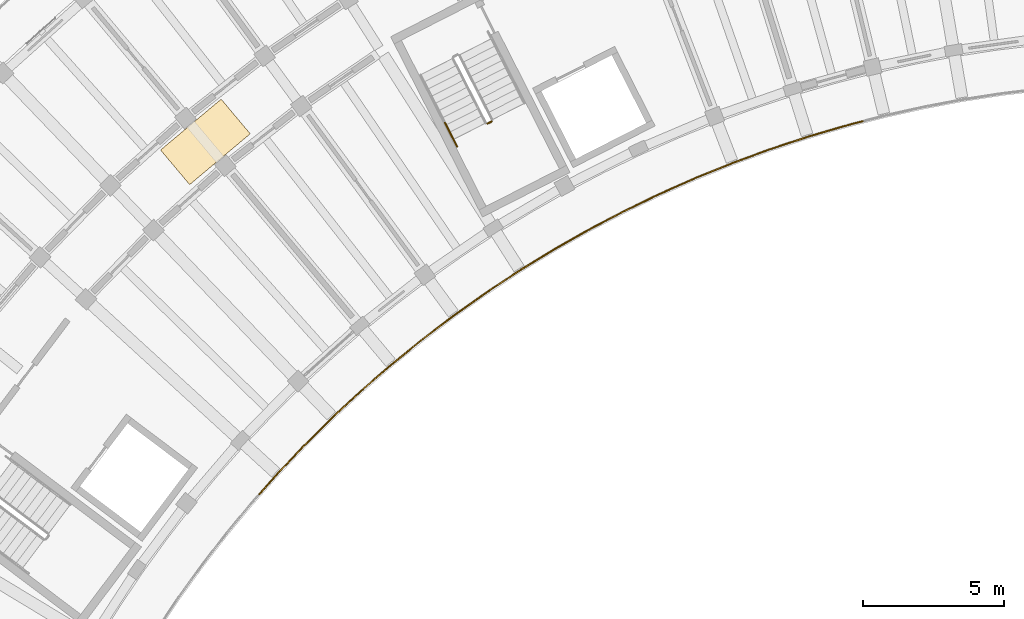
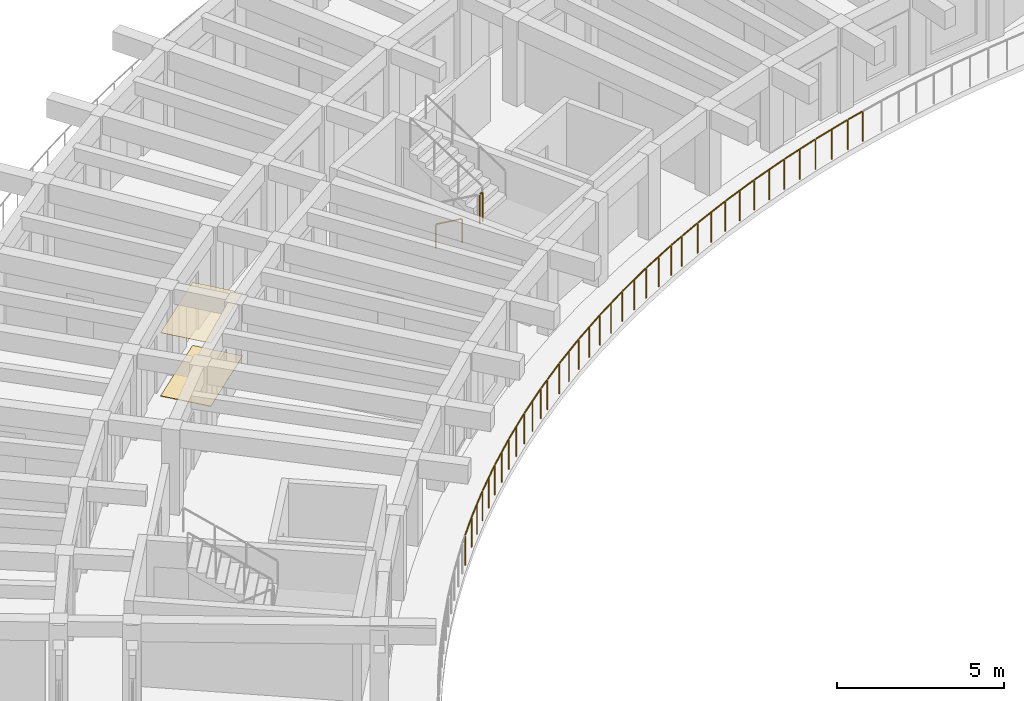
# One storey, part 71 of 81: 5 railings, 2 coverings.
"""IFC4 building model written with IfcOpenShell, lengths in metres."""

from ifc_helpers import new_model, si_unit, direction, frame, origin, origin_2d, place, context, subcontext, project, spatial, rectangle, circle, extrude, material, layer, layer_set, type_object, element, save


model = new_model("IFC4")

# Units and contexts
model_context = context("Model", 3, precision=1e-05, world=origin(), true_north=direction((0.0, 1.0)))
body_context = subcontext(model_context, "Body", "Model", "MODEL_VIEW")
ifc_project = project(units=[si_unit("LENGTHUNIT", "METRE"), si_unit("AREAUNIT", "SQUARE_METRE"), si_unit("VOLUMEUNIT", "CUBIC_METRE"), si_unit("PLANEANGLEUNIT", "RADIAN"), si_unit("MASSUNIT", "GRAM", prefix="KILO")], contexts=[model_context])

# Site, building, storey
site_placement = place(None, origin())
site = spatial("IfcSite", under=ifc_project, at=site_placement, CompositionType="ELEMENT")
building_placement = place(site_placement, origin())
building = spatial("IfcBuilding", under=site, at=building_placement, Name="Tanwirah Colonnade Gardens", CompositionType="ELEMENT")
storey_placement = place(building_placement, frame((0.0, 0.0, 18.919921875)))
storey = spatial("IfcBuildingStorey", under=building, at=storey_placement, Name="L05", CompositionType="ELEMENT", Elevation=18.919921875)

# Railings
ifc_material_1 = material(Name="Precast concrete C40/50", Category="concrete")
railing_type_1 = type_object("IfcRailingType", Name="BAL-EXT112", PredefinedType="BALUSTRADE", material=ifc_material_1)
railing_1_placement = place(storey_placement, frame((54.236083984375, 101.494384765625, 0.0)))
element("IfcRailing", 1, at=railing_1_placement, inside=storey, type_object=railing_type_1, Name="Block A L05 Balcony Ribbon Balustrade 2", PredefinedType="BALUSTRADE", context=body_context, shape_type="SweptSolid", body=[
    extrude(circle(Radius=0.02392578125, at=origin_2d()), frame((-0.0302734375, -0.0078125, 1.09619140625), z_axis=(-0.968166647099, -0.250306499006, 0.0), x_axis=(0.250306499006, -0.968166647099, 0.0)), (0.0, 0.0, 1.0), 0.557861328125),
    extrude(circle(Radius=0.02392578125, at=origin_2d()), frame((-0.63330078125, -0.164794921875, 1.09619140625), z_axis=(-0.959362733044, -0.282175736812, 0.0), x_axis=(0.282175736812, -0.959362733044, 0.0)), (0.0, 0.0, 1.0), 1.341796875),
    extrude(circle(Radius=0.02392578125, at=origin_2d()), frame((-1.98291015625, -0.562744140625, 1.09619140625), z_axis=(-0.949531842797, -0.313670654533, 0.0), x_axis=(0.313670654533, -0.949531842797, 0.0)), (0.0, 0.0, 1.0), 1.341552734375),
    extrude(circle(Radius=0.02392578125, at=origin_2d()), frame((-3.318359375, -1.005126953125, 1.09619140625), z_axis=(-0.93868698515, -0.344770567059, 0.0), x_axis=(0.344770567059, -0.93868698515, 0.0)), (0.0, 0.0, 1.0), 1.341796875),
    extrude(circle(Radius=0.02392578125, at=origin_2d()), frame((-4.638671875, -1.4912109375, 1.09619140625), z_axis=(-0.92683738147, -0.375463005247, 0.0), x_axis=(0.375463005247, -0.92683738147, 0.0)), (0.0, 0.0, 1.0), 1.342041015625),
    extrude(circle(Radius=0.02392578125, at=origin_2d()), frame((-5.942138671875, -2.0205078125, 1.09619140625), z_axis=(-0.913997826773, -0.40571908096, 0.0), x_axis=(0.40571908096, -0.913997826773, 0.0)), (0.0, 0.0, 1.0), 1.342041015625),
    extrude(circle(Radius=0.02392578125, at=origin_2d()), frame((-7.2275390625, -2.592529296875, 1.09619140625), z_axis=(-0.900038195948, -0.435811020783, 0.0), x_axis=(0.435811020783, -0.900038195948, 0.0)), (0.0, 0.0, 1.0), 0.779541015625),
    extrude(circle(Radius=0.02099609375, at=origin_2d()), origin(), (0.0, 0.0, 1.0), 1.069091796875),
    extrude(circle(Radius=0.02099609375, at=origin_2d()), frame((-0.6005859375, -0.1552734375, 0.0)), (0.0, 0.0, 1.0), 1.069091796875),
    extrude(circle(Radius=0.02099609375, at=origin_2d()), frame((-1.27685546875, -0.35400390625, 0.0)), (0.0, 0.0, 1.0), 1.069091796875),
    extrude(circle(Radius=0.02099609375, at=origin_2d()), frame((-1.950439453125, -0.55224609375, 0.0)), (0.0, 0.0, 1.0), 1.069091796875),
    extrude(circle(Radius=0.02099609375, at=origin_2d()), frame((-2.61962890625, -0.773193359375, 0.0)), (0.0, 0.0, 1.0), 1.069091796875),
    extrude(circle(Radius=0.02099609375, at=origin_2d()), frame((-3.286376953125, -0.993408203125, 0.0)), (0.0, 0.0, 1.0), 1.069091796875),
    extrude(circle(Radius=0.02099609375, at=origin_2d()), frame((-3.9482421875, -1.236328125, 0.0)), (0.0, 0.0, 1.0), 1.069091796875),
    extrude(circle(Radius=0.02099609375, at=origin_2d()), frame((-4.607177734375, -1.478515625, 0.0)), (0.0, 0.0, 1.0), 1.069091796875),
    extrude(circle(Radius=0.02099609375, at=origin_2d()), frame((-5.260498046875, -1.7431640625, 0.0)), (0.0, 0.0, 1.0), 1.069091796875),
    extrude(circle(Radius=0.02099609375, at=origin_2d()), frame((-5.911376953125, -2.0068359375, 0.0)), (0.0, 0.0, 1.0), 1.069091796875),
    extrude(circle(Radius=0.02099609375, at=origin_2d()), frame((-6.555419921875, -2.292724609375, 0.0)), (0.0, 0.0, 1.0), 1.069091796875),
    extrude(circle(Radius=0.02099609375, at=origin_2d()), frame((-7.197265625, -2.57763671875, 0.0)), (0.0, 0.0, 1.0), 1.069091796875),
    extrude(circle(Radius=0.02099609375, at=origin_2d()), frame((-7.957275390625, -2.94580078125, 0.0)), (0.0, 0.0, 1.0), 1.069091796875),
])
railing_2_placement = place(storey_placement, frame((46.27880859375, 98.548583984375, 0.0)))
element("IfcRailing", 2, at=railing_2_placement, inside=storey, type_object=railing_type_1, Name="Block A L05 Balcony Ribbon Balustrade 3", PredefinedType="BALUSTRADE", context=body_context, shape_type="SweptSolid", body=[
    extrude(circle(Radius=0.02392578125, at=origin_2d()), frame((-0.028076171875, -0.013671875, 1.09619140625), z_axis=(-0.900252558568, -0.435368040619, 0.0), x_axis=(0.435368040619, -0.900252558568, 0.0)), (0.0, 0.0, 1.0), 0.5),
    extrude(circle(Radius=0.02392578125, at=origin_2d()), frame((-0.5361328125, -0.2607421875, 1.09619140625), z_axis=(-0.885204649416, -0.465201814972, 0.0), x_axis=(0.465201814972, -0.885204649416, 0.0)), (0.0, 0.0, 1.0), 1.341796875),
    extrude(circle(Radius=0.02392578125, at=origin_2d()), frame((-1.78125, -0.916015625, 1.09619140625), z_axis=(-0.869342839865, -0.494209496848, 0.0), x_axis=(0.494209496848, -0.869342839865, 0.0)), (0.0, 0.0, 1.0), 1.342041015625),
    extrude(circle(Radius=0.02392578125, at=origin_2d()), frame((-3.00390625, -1.6123046875, 1.09619140625), z_axis=(-0.852623736113, -0.522525372223, 0.0), x_axis=(0.522525372223, -0.852623736113, 0.0)), (0.0, 0.0, 1.0), 1.342041015625),
    extrude(circle(Radius=0.02392578125, at=origin_2d()), frame((-4.203125, -2.34814453125, 1.09619140625), z_axis=(-0.834927342507, -0.550360184547, 0.0), x_axis=(0.550360184547, -0.834927342507, 0.0)), (0.0, 0.0, 1.0), 1.341796875),
    extrude(circle(Radius=0.02392578125, at=origin_2d()), frame((-5.37744140625, -3.12353515625, 1.09619140625), z_axis=(-0.816321661452, -0.577597563226, 0.0), x_axis=(0.577597563226, -0.816321661452, 0.0)), (0.0, 0.0, 1.0), 1.341552734375),
    extrude(circle(Radius=0.02392578125, at=origin_2d()), frame((-6.525146484375, -3.936767578125, 1.09619140625), z_axis=(-0.796799330669, -0.604244012502, 0.0), x_axis=(0.604244012502, -0.796799330669, 0.0)), (0.0, 0.0, 1.0), 0.837646484375),
    extrude(circle(Radius=0.02099609375, at=origin_2d()), origin(), (0.0, 0.0, 1.0), 1.069091796875),
    extrude(circle(Radius=0.02099609375, at=origin_2d()), frame((-0.50634765625, -0.244873046875, 0.0)), (0.0, 0.0, 1.0), 1.069091796875),
    extrude(circle(Radius=0.02099609375, at=origin_2d()), frame((-1.130126953125, -0.57275390625, 0.0)), (0.0, 0.0, 1.0), 1.069091796875),
    extrude(circle(Radius=0.02099609375, at=origin_2d()), frame((-1.751708984375, -0.8994140625, 0.0)), (0.0, 0.0, 1.0), 1.069091796875),
    extrude(circle(Radius=0.02099609375, at=origin_2d()), frame((-2.36474609375, -1.24755859375, 0.0)), (0.0, 0.0, 1.0), 1.069091796875),
    extrude(circle(Radius=0.02099609375, at=origin_2d()), frame((-2.97509765625, -1.5947265625, 0.0)), (0.0, 0.0, 1.0), 1.069091796875),
    extrude(circle(Radius=0.02099609375, at=origin_2d()), frame((-3.576171875, -1.962890625, 0.0)), (0.0, 0.0, 1.0), 1.069091796875),
    extrude(circle(Radius=0.02099609375, at=origin_2d()), frame((-4.1748046875, -2.329833984375, 0.0)), (0.0, 0.0, 1.0), 1.069091796875),
    extrude(circle(Radius=0.02099609375, at=origin_2d()), frame((-4.76318359375, -2.717529296875, 0.0)), (0.0, 0.0, 1.0), 1.069091796875),
    extrude(circle(Radius=0.02099609375, at=origin_2d()), frame((-5.349609375, -3.10400390625, 0.0)), (0.0, 0.0, 1.0), 1.069091796875),
    extrude(circle(Radius=0.02099609375, at=origin_2d()), frame((-5.9248046875, -3.510986328125, 0.0)), (0.0, 0.0, 1.0), 1.069091796875),
    extrude(circle(Radius=0.02099609375, at=origin_2d()), frame((-6.498046875, -3.91650390625, 0.0)), (0.0, 0.0, 1.0), 1.069091796875),
    extrude(circle(Radius=0.02099609375, at=origin_2d()), frame((-7.217529296875, -4.4619140625, 0.0)), (0.0, 0.0, 1.0), 1.069091796875),
])
railing_3_placement = place(storey_placement, frame((39.061279296875, 94.086669921875, 0.0)))
element("IfcRailing", 3, at=railing_3_placement, inside=storey, type_object=railing_type_1, Name="Block A L05 Balcony Ribbon Balustrade 4", PredefinedType="BALUSTRADE", context=body_context, shape_type="SweptSolid", body=[
    extrude(circle(Radius=0.02392578125, at=origin_2d()), frame((-0.02490234375, -0.018798828125, 1.09619140625), z_axis=(-0.796852005176, -0.604174545845, 0.0), x_axis=(0.604174545845, -0.796852005176, 0.0)), (0.0, 0.0, 1.0), 0.44189453125),
    extrude(circle(Radius=0.02392578125, at=origin_2d()), frame((-0.427978515625, -0.325927734375, 1.09619140625), z_axis=(-0.776491375378, -0.630127879056, 0.0), x_axis=(0.630127879056, -0.776491375378, 0.0)), (0.0, 0.0, 1.0), 1.342041015625),
    extrude(circle(Radius=0.02392578125, at=origin_2d()), frame((-1.52001953125, -1.21337890625, 1.09619140625), z_axis=(-0.755402192857, -0.655261418845, 0.0), x_axis=(0.655261418845, -0.755402192857, 0.0)), (0.0, 0.0, 1.0), 1.341796875),
    extrude(circle(Radius=0.02392578125, at=origin_2d()), frame((-2.58203125, -2.135986328125, 1.09619140625), z_axis=(-0.73336899588, -0.679830799451, 0.0), x_axis=(0.679830799451, -0.73336899588, 0.0)), (0.0, 0.0, 1.0), 1.342041015625),
    extrude(circle(Radius=0.02392578125, at=origin_2d()), frame((-3.61328125, -3.09326171875, 1.09619140625), z_axis=(-0.710488556831, -0.703708754111, 0.0), x_axis=(0.703708754111, -0.710488556831, 0.0)), (0.0, 0.0, 1.0), 1.341796875),
    extrude(circle(Radius=0.02392578125, at=origin_2d()), frame((-4.612060546875, -4.084228515625, 1.09619140625), z_axis=(-0.687011382404, -0.726646654466, 0.0), x_axis=(0.726646654466, -0.687011382404, 0.0)), (0.0, 0.0, 1.0), 1.341796875),
    extrude(circle(Radius=0.02392578125, at=origin_2d()), frame((-5.577880859375, -5.107421875, 1.09619140625), z_axis=(-0.662590378068, -0.74898196967, 0.0), x_axis=(0.74898196967, -0.662590378068, 0.0)), (0.0, 0.0, 1.0), 0.8955078125),
    extrude(circle(Radius=0.02099609375, at=origin_2d()), origin(), (0.0, 0.0, 1.0), 1.069091796875),
    extrude(circle(Radius=0.02099609375, at=origin_2d()), frame((-0.40185546875, -0.3046875, 0.0)), (0.0, 0.0, 1.0), 1.069091796875),
    extrude(circle(Radius=0.02099609375, at=origin_2d()), frame((-0.94921875, -0.74853515625, 0.0)), (0.0, 0.0, 1.0), 1.069091796875),
    extrude(circle(Radius=0.02099609375, at=origin_2d()), frame((-1.494384765625, -1.191162109375, 0.0)), (0.0, 0.0, 1.0), 1.069091796875),
    extrude(circle(Radius=0.02099609375, at=origin_2d()), frame((-2.02685546875, -1.65283203125, 0.0)), (0.0, 0.0, 1.0), 1.069091796875),
    extrude(circle(Radius=0.02099609375, at=origin_2d()), frame((-2.55712890625, -2.113037109375, 0.0)), (0.0, 0.0, 1.0), 1.069091796875),
    extrude(circle(Radius=0.02099609375, at=origin_2d()), frame((-3.07421875, -2.59228515625, 0.0)), (0.0, 0.0, 1.0), 1.069091796875),
    extrude(circle(Radius=0.02099609375, at=origin_2d()), frame((-3.589111328125, -3.069580078125, 0.0)), (0.0, 0.0, 1.0), 1.069091796875),
    extrude(circle(Radius=0.02099609375, at=origin_2d()), frame((-4.08984375, -3.5654296875, 0.0)), (0.0, 0.0, 1.0), 1.069091796875),
    extrude(circle(Radius=0.02099609375, at=origin_2d()), frame((-4.5888671875, -4.0595703125, 0.0)), (0.0, 0.0, 1.0), 1.069091796875),
    extrude(circle(Radius=0.02099609375, at=origin_2d()), frame((-5.072998046875, -4.57177734375, 0.0)), (0.0, 0.0, 1.0), 1.069091796875),
    extrude(circle(Radius=0.02099609375, at=origin_2d()), frame((-5.555419921875, -5.08203125, 0.0)), (0.0, 0.0, 1.0), 1.069091796875),
    extrude(circle(Radius=0.02099609375, at=origin_2d()), frame((-6.19189453125, -5.801513671875, 0.0)), (0.0, 0.0, 1.0), 1.069091796875),
])

# Coverings
ifc_material_2 = material(Name="Acoustic perforated gypsum ceiling board")
ifc_layer_1 = layer(ifc_material_2, 0.014892578125)
ifc_layer_set_1 = layer_set([ifc_layer_1], Name="Acoustic perforated gypsum ceiling board")
covering_type_1 = type_object("IfcCoveringType", Name="COV-CEIL15", PredefinedType="CEILING", material=ifc_layer_set_1)
covering_1_placement = place(storey_placement, frame((30.96435546875, 100.761962890625, 2.3125), z_axis=(0.0, 0.0, 1.0), x_axis=(-0.766044443119, -0.642787609687, 0.0)))
element("IfcCovering", 4, at=covering_1_placement, inside=storey, type_object=covering_type_1, Name="Block A L05 Corridor Acoustic Ceiling", PredefinedType="CEILING", context=body_context, shape_type="SweptSolid", body=[
    extrude(rectangle(XDim=2.800048828125, YDim=1.60009765625, at=origin_2d()), origin(), (0.0, 0.0, 1.0), 0.014892578125),
])
ifc_material_3 = material(Name="Honed Abu Dhabi limestone terrazzo flooring", Category="masonry")
ifc_layer_2 = layer(ifc_material_3, 0.02001953125)
ifc_layer_set_2 = layer_set([ifc_layer_2], Name="Honed Abu Dhabi limestone terrazzo flooring")
covering_type_2 = type_object("IfcCoveringType", Name="COV-FLR20", PredefinedType="FLOORING", material=ifc_layer_set_2)
covering_2_placement = place(storey_placement, frame((30.96435546875, 100.761962890625, 0.0), z_axis=(0.0, 0.0, 1.0), x_axis=(-0.766044443119, -0.642787609687, 0.0)))
element("IfcCovering", 5, at=covering_2_placement, inside=storey, type_object=covering_type_2, Name="Block A L05 Corridor Terrazzo Flooring", PredefinedType="FLOORING", context=body_context, shape_type="SweptSolid", body=[
    extrude(rectangle(XDim=2.800048828125, YDim=1.60009765625, at=origin_2d()), origin(), (0.0, 0.0, 1.0), 0.02001953125),
])

# Railings
ifc_material_4 = material(Name="Powder-coated galvanized steel", Category="steel")
railing_type_2 = type_object("IfcRailingType", Name="GRD-ST110", PredefinedType="GUARDRAIL", material=ifc_material_4)
railing_4_placement = place(storey_placement, frame((40.95068359375, 101.408203125, 1.68017578125)))
element("IfcRailing", 6, at=railing_4_placement, inside=storey, type_object=railing_type_2, Name="L05 ST-A1 stair guard 2", PredefinedType="GUARDRAIL", context=body_context, shape_type="SweptSolid", body=[
    extrude(circle(Radius=0.02392578125, at=origin_2d()), frame((0.02783203125, 0.01416015625, 1.076171875), z_axis=(0.89073666619, 0.4545197372, 0.0), x_axis=(-0.4545197372, 0.89073666619, 0.0)), (0.0, 0.0, 1.0), 0.09765625),
    extrude(circle(Radius=0.02099609375, at=origin_2d()), origin(), (0.0, 0.0, 1.0), 1.049072265625),
    extrude(circle(Radius=0.02099609375, at=origin_2d()), frame((0.142578125, 0.07275390625, 0.0)), (0.0, 0.0, 1.0), 1.049072265625),
])
ifc_material_5 = material(Name="Brushed bronze stainless steel", Category="steel")
railing_type_3 = type_object("IfcRailingType", Name="HR-ST090", PredefinedType="HANDRAIL", material=ifc_material_5)
railing_5_placement = place(storey_placement, frame((39.44091796875, 101.44140625, 1.300048828125)))
element("IfcRailing", 7, at=railing_5_placement, inside=storey, type_object=railing_type_3, Name="L05 ST-A1 stair handrail 3", PredefinedType="HANDRAIL", context=body_context, shape_type="SweptSolid", body=[
    extrude(circle(Radius=0.02392578125, at=origin_2d()), frame((0.01220703125, -0.02392578125, 0.891845703125), z_axis=(0.390117538533, -0.765442844423, 0.51176709356), x_axis=(0.890957114254, 0.454087459154, 0.0)), (0.0, 0.0, 1.0), 1.043212890625),
    extrude(circle(Radius=0.02099609375, at=origin_2d()), origin(), (0.0, 0.0, 1.0), 0.848876953125),
    extrude(circle(Radius=0.02099609375, at=origin_2d()), frame((0.431396484375, -0.846435546875, 0.56591796875)), (0.0, 0.0, 1.0), 0.848876953125),
])

save(model, "model.ifc")
